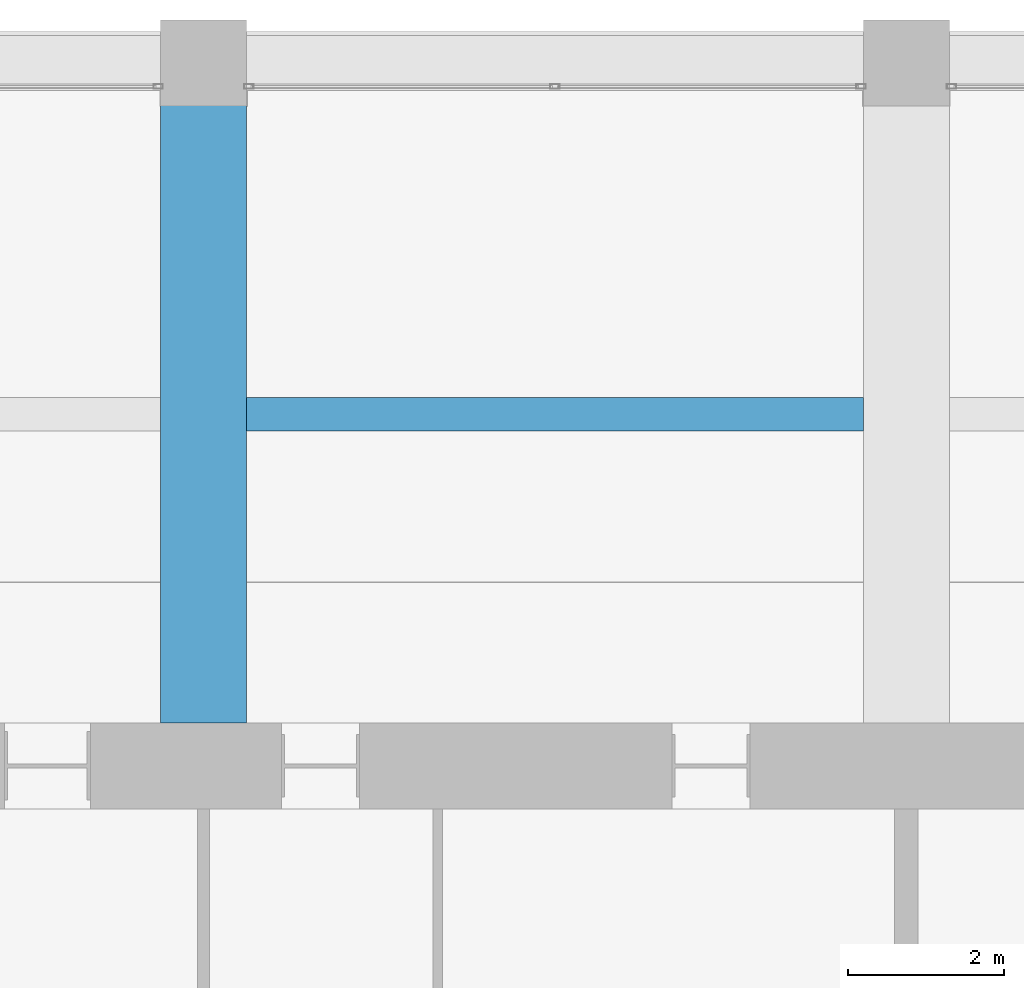
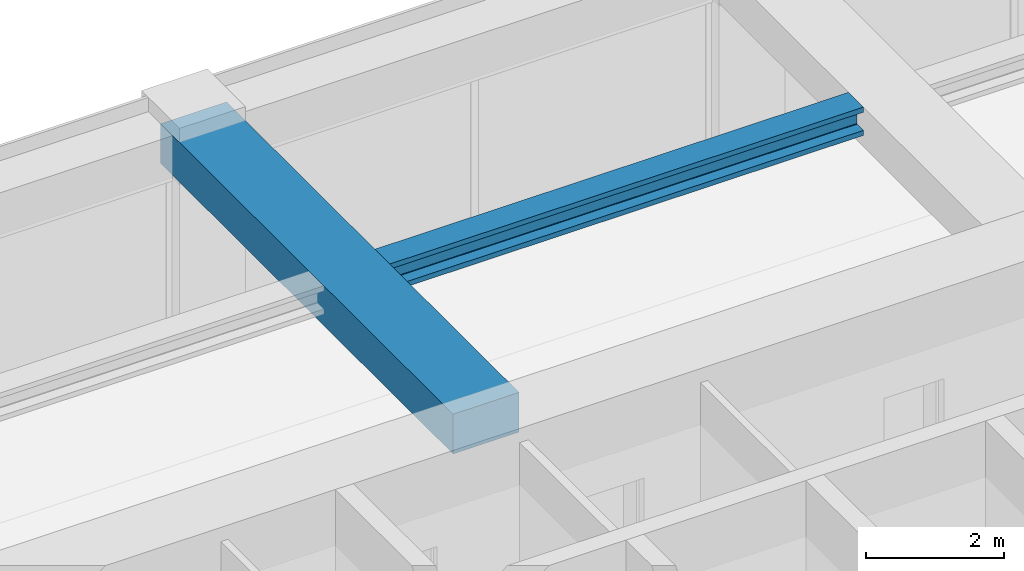
# One storey, part 32 of 44: 2 beams.
"""IFC4 building model written with IfcOpenShell, lengths in metres."""

from ifc_helpers import new_model, si_unit, direction, frame, origin, origin_2d, place, context, subcontext, project, spatial, rectangle, i_section, extrude, material, material_profile, profile_set, type_object, element, save


model = new_model("IFC4")

# Units and contexts
model_context = context("Model", 3, precision=1e-05, world=origin(), true_north=direction((0.0, 1.0)))
body_context = subcontext(model_context, "Body", "Model", "MODEL_VIEW")
ifc_project = project(units=[si_unit("LENGTHUNIT", "METRE"), si_unit("AREAUNIT", "SQUARE_METRE"), si_unit("VOLUMEUNIT", "CUBIC_METRE"), si_unit("PLANEANGLEUNIT", "RADIAN"), si_unit("MASSUNIT", "GRAM", prefix="KILO")], contexts=[model_context])

# Site, building, storey
site_placement = place(None, origin())
site = spatial("IfcSite", under=ifc_project, at=site_placement, CompositionType="ELEMENT")
building_placement = place(site_placement, origin())
building = spatial("IfcBuilding", under=site, at=building_placement, Name="Zorevar Civic Tower", CompositionType="ELEMENT")
storey_placement = place(building_placement, frame((0.0, 0.0, 287.39990234375)))
storey = spatial("IfcBuildingStorey", under=building, at=storey_placement, Name="L70", CompositionType="ELEMENT", Elevation=287.39990234375)

# Beams
ifc_material_1 = material(Name="Concrete C50/60", Category="concrete")
ifc_material_profile_1 = material_profile(ifc_material_1, rectangle(XDim=1.10009765625, YDim=0.699951171875, at=origin_2d()), Name="RC 1100x700")
ifc_profile_set_1 = profile_set([ifc_material_profile_1], Name="Concrete C50/60")
beam_type_1 = type_object("IfcBeamType", Name="Beam RC 1100x700", PredefinedType="BEAM", material=ifc_profile_set_1)
beam_1_placement = place(storey_placement, frame((27.0, 36.550048828125, 3.400146484375), z_axis=(0.0, 1.0, 0.0), x_axis=(-1.0, 0.0, 0.0)))
element("IfcBeam", 1, at=beam_1_placement, inside=storey, type_object=beam_type_1, Name="Girder L71", PredefinedType="BEAM", context=body_context, shape_type="SweptSolid", body=[
    extrude(rectangle(XDim=1.10009765625, YDim=0.699951171875, at=origin_2d()), origin(), (0.0, 0.0, 1.0), 8.449951171875),
])
ifc_material_2 = material(Name="Steel S460M (HISTAR 460)", Category="steel")
ifc_material_profile_2 = material_profile(ifc_material_2, i_section(OverallWidth=0.431884765625, OverallDepth=0.498046875, WebThickness=0.0556640625, FlangeThickness=0.0888671875, FilletRadius=0.014892578125, at=origin_2d()), Name="HD 400x744")
ifc_profile_set_2 = profile_set([ifc_material_profile_2], Name="Steel S460M (HISTAR 460)")
beam_type_2 = type_object("IfcBeamType", Name="Core bay beam HD 400x744", PredefinedType="BEAM", material=ifc_profile_set_2)
beam_2_placement = place(storey_placement, frame((27.550048828125, 40.5, 3.5009765625), z_axis=(1.0, 0.0, 0.0), x_axis=(0.0, 1.0, 0.0)))
element("IfcBeam", 2, at=beam_2_placement, inside=storey, type_object=beam_type_2, Name="Secondary beam L71", PredefinedType="BEAM", context=body_context, shape_type="SweptSolid", body=[
    extrude(i_section(OverallWidth=0.431884765625, OverallDepth=0.498046875, WebThickness=0.0556640625, FlangeThickness=0.0888671875, FilletRadius=0.014892578125, at=origin_2d()), origin(), (0.0, 0.0, 1.0), 7.89990234375),
])

save(model, "model.ifc")
